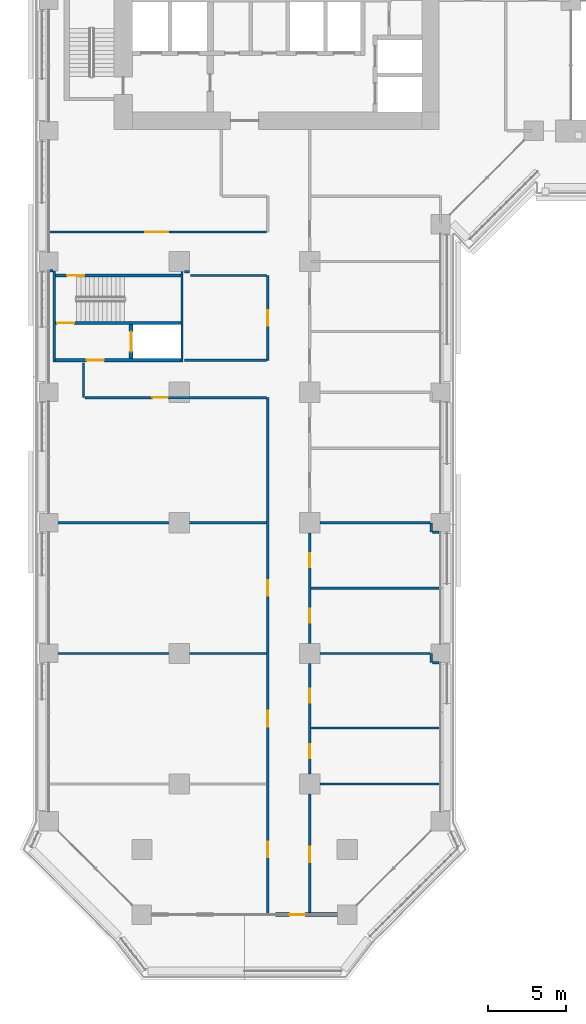
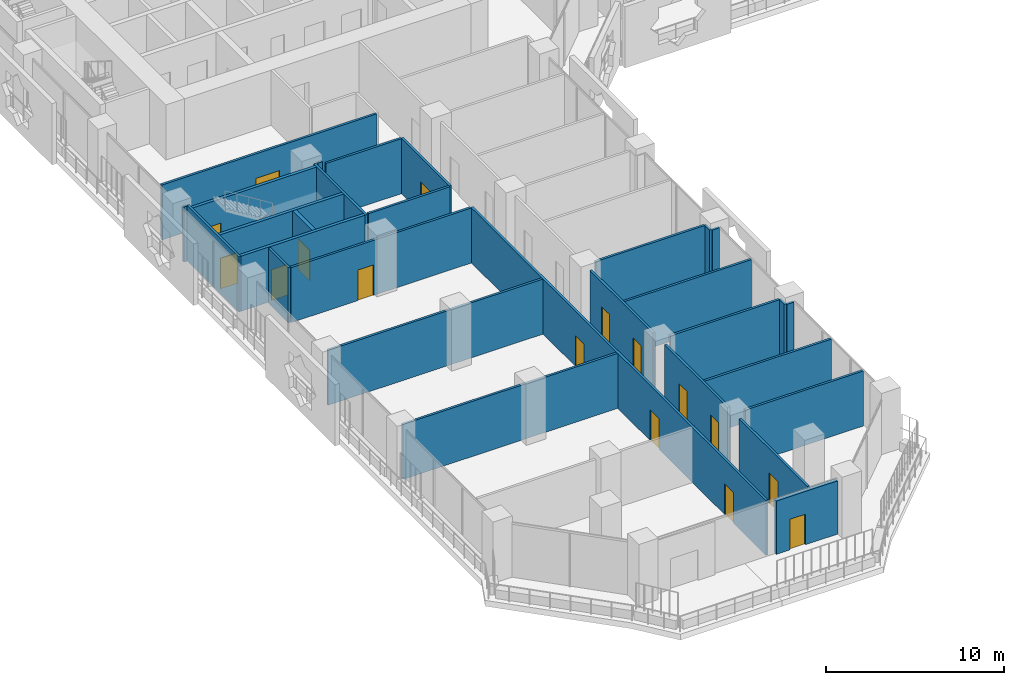
# One storey, part 13 of 28: 30 walls, 16 doors, 16 openings.
"""IFC4 building model written with IfcOpenShell, lengths in metres."""

from ifc_helpers import new_model, si_unit, direction, frame, frame_2d, origin, place, context, subcontext, project, spatial, rectangle, extrude, material, layer, layer_set, type_object, element, fill, save


model = new_model("IFC4")

# Units and contexts
model_context = context("Model", 3, precision=1e-05, world=origin(), true_north=direction((0.0, 1.0)))
body_context = subcontext(model_context, "Body", "Model", "MODEL_VIEW")
ifc_project = project(units=[si_unit("LENGTHUNIT", "METRE"), si_unit("AREAUNIT", "SQUARE_METRE"), si_unit("VOLUMEUNIT", "CUBIC_METRE"), si_unit("PLANEANGLEUNIT", "RADIAN"), si_unit("MASSUNIT", "GRAM", prefix="KILO")], contexts=[model_context])

# Site, building, storey
site_placement = place(None, origin())
site = spatial("IfcSite", under=ifc_project, at=site_placement, CompositionType="ELEMENT")
building_placement = place(site_placement, origin())
building = spatial("IfcBuilding", under=site, at=building_placement, Name="Kawkab Arch Medical Tower", CompositionType="ELEMENT")
storey_placement = place(building_placement, frame((0.0, 0.0, 47.60009765625)))
storey = spatial("IfcBuildingStorey", under=building, at=storey_placement, Name="L10", CompositionType="ELEMENT", Elevation=47.60009765625)

# Wall, opening, door
ifc_material_1 = material(Name="Concrete C60/75", Category="concrete")
ifc_layer_1 = layer(ifc_material_1, 0.25)
ifc_layer_set_1 = layer_set([ifc_layer_1], Name="Concrete C60/75")
wall_type_1 = type_object("IfcWallType", Name="Core shear wall 250 C60/75", PredefinedType="SHEAR", material=ifc_layer_set_1)
wall_1_placement = place(storey_placement, frame((5.300048828125, -39.85009765625, 0.0), z_axis=(0.0, 0.0, 1.0), x_axis=(0.0, 1.0, 0.0)))
wall_1 = element("IfcWall", 1, at=wall_1_placement, inside=storey, type_object=wall_type_1, Name="L10 core shear wall", PredefinedType="SHEAR", context=body_context, shape_type="SweptSolid", body=[
    extrude(rectangle(XDim=2.2001953125, YDim=0.25, at=frame_2d((1.10009765625, 0.0))), origin(), (0.0, 0.0, 1.0), 3.77978515625),
])
opening_1_placement = place(wall_1_placement, frame((0.449951171875, 0.0, 0.0)))
opening_1 = element("IfcOpeningElement", 2, at=opening_1_placement, cuts=wall_1, Name="Opening LD2", PredefinedType="OPENING", context=body_context, shape_type="SweptSolid", body=[
    extrude(rectangle(XDim=1.300048828125, YDim=2.10009765625, at=frame_2d((0.64990234375, 1.050048828125))), frame((0.0, 0.135009765625, 0.0), z_axis=(0.0, -1.0, 0.0), x_axis=(1.0, 0.0, 0.0)), (0.0, 0.0, 1.0), 0.27001953125),
])
ifc_material_2 = material(Name="Stainless steel lift door leaf", Category="steel")
door_type_1 = type_object("IfcDoorType", Name="Lift landing door 1300", OperationType="DOUBLE_DOOR_SLIDING", PredefinedType="DOOR", material=ifc_material_2)
door_1_placement = place(opening_1_placement, origin())
door_1 = element("IfcDoor", 3, at=door_1_placement, inside=storey, type_object=door_type_1, Name="L10 Lift landing door SV2", OperationType="DOUBLE_DOOR_SLIDING", OverallHeight=2.10009765625, OverallWidth=1.300048828125, PredefinedType="DOOR", context=body_context, shape_type="SweptSolid", body=[
    extrude(rectangle(XDim=1.300048828125, YDim=2.10009765625, at=frame_2d((0.64990234375, 1.050048828125))), frame((0.0, 0.02490234375, 0.0), z_axis=(0.0, -1.0, 0.0), x_axis=(1.0, 0.0, 0.0)), (0.0, 0.0, 1.0), 0.050048828125),
])
fill(opening_1, door_1)

ifc_material_3 = material(Name="Bronze clad insulated wall panel")
ifc_layer_2 = layer(ifc_material_3, 0.25)
ifc_layer_set_2 = layer_set([ifc_layer_2], Name="Bronze clad insulated wall panel")
wall_type_2 = type_object("IfcWallType", Name="External wall bay 250", PredefinedType="SOLIDWALL", material=ifc_layer_set_2)
wall_2_placement = place(storey_placement, frame((14.591552734375, -75.60009765625, 0.0), z_axis=(0.0, 0.0, 1.0), x_axis=(1.0, 0.0, 0.0)))
wall_2 = element("IfcWall", 4, at=wall_2_placement, inside=storey, type_object=wall_type_2, Name="External wall bay L10.R13.1.3", PredefinedType="SOLIDWALL", context=body_context, shape_type="SweptSolid", body=[
    extrude(rectangle(XDim=3.9833984375, YDim=0.25, at=frame_2d((1.99169921875, 0.0))), origin(), (0.0, 0.0, 1.0), 3.659912109375),
])
opening_2_placement = place(wall_2_placement, frame((0.8916015625, 0.0, 0.0)))
opening_2 = element("IfcOpeningElement", 5, at=opening_2_placement, cuts=wall_2, Name="Opening B10-702", PredefinedType="OPENING", context=body_context, shape_type="SweptSolid", body=[
    extrude(rectangle(XDim=1.0, YDim=2.10009765625, at=frame_2d((0.5, 1.050048828125))), frame((0.0, 0.135009765625, 0.0), z_axis=(0.0, -1.0, 0.0), x_axis=(1.0, 0.0, 0.0)), (0.0, 0.0, 1.0), 0.27001953125),
])
ifc_material_4 = material(Name="Bronze anodised aluminium door with tinted glass", Category="aluminium")
door_type_2 = type_object("IfcDoorType", Name="Single external door 1000 x 2100", OperationType="SINGLE_SWING_LEFT", PredefinedType="DOOR", material=ifc_material_4)
door_2_placement = place(opening_2_placement, origin())
door_2 = element("IfcDoor", 6, at=door_2_placement, inside=storey, type_object=door_type_2, Name="External door L10.R13.1.3", OperationType="SINGLE_SWING_LEFT", OverallHeight=2.10009765625, OverallWidth=1.0, PredefinedType="DOOR", context=body_context, shape_type="SweptSolid", body=[
    extrude(rectangle(XDim=1.0, YDim=2.10009765625, at=frame_2d((0.5, 1.050048828125))), frame((0.0, 0.02490234375, 0.0), z_axis=(0.0, -1.0, 0.0), x_axis=(1.0, 0.0, 0.0)), (0.0, 0.0, 1.0), 0.050048828125),
])
fill(opening_2, door_2)

# Walls
ifc_material_5 = material(Name="Gypsum board partition on steel studs, mineral wool", Category="steel")
ifc_layer_3 = layer(ifc_material_5, 0.14990234375)
ifc_layer_set_3 = layer_set([ifc_layer_3], Name="Gypsum board partition on steel studs, mineral wool")
wall_type_3 = type_object("IfcWallType", Name="Partition 150", PredefinedType="PARTITIONING", material=ifc_layer_set_3)
wall_3_placement = place(storey_placement, frame((17.449951171875, -67.199951171875, 0.0), z_axis=(0.0, 0.0, 1.0), x_axis=(1.0, 0.0, 0.0)))
element("IfcWall", 7, at=wall_3_placement, inside=storey, type_object=wall_type_3, Name="Partition 150 w002", PredefinedType="PARTITIONING", context=body_context, shape_type="SweptSolid", body=[
    extrude(rectangle(XDim=7.670166015625, YDim=0.14990234375, at=frame_2d((3.8349609375, 0.0))), origin(), (0.0, 0.0, 1.0), 3.77978515625),
])
wall_4_placement = place(storey_placement, frame((16.875, -63.60009765625, 0.0), z_axis=(0.0, 0.0, 1.0), x_axis=(1.0, 0.0, 0.0)))
element("IfcWall", 8, at=wall_4_placement, inside=storey, type_object=wall_type_3, Name="Partition 150 w003", PredefinedType="PARTITIONING", context=body_context, shape_type="SweptSolid", body=[
    extrude(rectangle(XDim=8.2451171875, YDim=0.14990234375, at=frame_2d((4.12255859375, 0.0))), origin(), (0.0, 0.0, 1.0), 3.77978515625),
])
wall_5_placement = place(storey_placement, frame((24.675048828125, -59.39990234375, 0.0), z_axis=(0.0, 0.0, 1.0), x_axis=(1.0, 0.0, 0.0)))
element("IfcWall", 9, at=wall_5_placement, inside=storey, type_object=wall_type_3, Name="Partition 150 w004", PredefinedType="PARTITIONING", context=body_context, shape_type="SweptSolid", body=[
    extrude(rectangle(XDim=0.445068359375, YDim=0.14990234375, at=frame_2d((0.22265625, 0.0))), origin(), (0.0, 0.0, 1.0), 3.77978515625),
])
wall_6_placement = place(storey_placement, frame((0.080078125, -58.800048828125, 0.0), z_axis=(0.0, 0.0, 1.0), x_axis=(1.0, 0.0, 0.0)))
element("IfcWall", 10, at=wall_6_placement, inside=storey, type_object=wall_type_3, Name="Partition 150 w005", PredefinedType="PARTITIONING", context=body_context, shape_type="SweptSolid", body=[
    extrude(rectangle(XDim=13.94482421875, YDim=0.14990234375, at=frame_2d((6.972412109375, 0.0))), origin(), (0.0, 0.0, 1.0), 3.77978515625),
])
wall_7_placement = place(storey_placement, frame((17.451904296875, -58.800048828125, 0.0), z_axis=(0.0, 0.0, 1.0), x_axis=(1.0, 0.0, 0.0)))
element("IfcWall", 11, at=wall_7_placement, inside=storey, type_object=wall_type_3, Name="Partition 150 w006", PredefinedType="PARTITIONING", context=body_context, shape_type="SweptSolid", body=[
    extrude(rectangle(XDim=7.071044921875, YDim=0.14990234375, at=frame_2d((3.53564453125, 0.0))), origin(), (0.0, 0.0, 1.0), 3.77978515625),
])
wall_8_placement = place(storey_placement, frame((16.875, -54.60009765625, 0.0), z_axis=(0.0, 0.0, 1.0), x_axis=(1.0, 0.0, 0.0)))
element("IfcWall", 12, at=wall_8_placement, inside=storey, type_object=wall_type_3, Name="Partition 150 w007", PredefinedType="PARTITIONING", context=body_context, shape_type="SweptSolid", body=[
    extrude(rectangle(XDim=8.2451171875, YDim=0.14990234375, at=frame_2d((4.12255859375, 0.0))), origin(), (0.0, 0.0, 1.0), 3.77978515625),
])
wall_9_placement = place(storey_placement, frame((24.675048828125, -51.0, 0.0), z_axis=(0.0, 0.0, 1.0), x_axis=(1.0, 0.0, 0.0)))
element("IfcWall", 13, at=wall_9_placement, inside=storey, type_object=wall_type_3, Name="Partition 150 w008", PredefinedType="PARTITIONING", context=body_context, shape_type="SweptSolid", body=[
    extrude(rectangle(XDim=0.445068359375, YDim=0.14990234375, at=frame_2d((0.22265625, 0.0))), origin(), (0.0, 0.0, 1.0), 3.77978515625),
])
wall_10_placement = place(storey_placement, frame((0.080078125, -50.39990234375, 0.0), z_axis=(0.0, 0.0, 1.0), x_axis=(1.0, 0.0, 0.0)))
element("IfcWall", 14, at=wall_10_placement, inside=storey, type_object=wall_type_3, Name="Partition 150 w009", PredefinedType="PARTITIONING", context=body_context, shape_type="SweptSolid", body=[
    extrude(rectangle(XDim=13.94482421875, YDim=0.14990234375, at=frame_2d((6.972412109375, 0.0))), origin(), (0.0, 0.0, 1.0), 3.77978515625),
])
wall_11_placement = place(storey_placement, frame((17.451904296875, -50.39990234375, 0.0), z_axis=(0.0, 0.0, 1.0), x_axis=(1.0, 0.0, 0.0)))
element("IfcWall", 15, at=wall_11_placement, inside=storey, type_object=wall_type_3, Name="Partition 150 w010", PredefinedType="PARTITIONING", context=body_context, shape_type="SweptSolid", body=[
    extrude(rectangle(XDim=7.071044921875, YDim=0.14990234375, at=frame_2d((3.53564453125, 0.0))), origin(), (0.0, 0.0, 1.0), 3.77978515625),
])

# Wall, opening, door
wall_12_placement = place(storey_placement, frame((2.325927734375, -42.35009765625, 0.0), z_axis=(0.0, 0.0, 1.0), x_axis=(1.0, 0.0, 0.0)))
wall_12 = element("IfcWall", 16, at=wall_12_placement, inside=storey, type_object=wall_type_3, Name="Partition 150 w013", PredefinedType="PARTITIONING", context=body_context, shape_type="SweptSolid", body=[
    extrude(rectangle(XDim=11.698974609375, YDim=0.14990234375, at=frame_2d((5.849609375, 0.0))), origin(), (0.0, 0.0, 1.0), 3.77978515625),
])
opening_3_placement = place(wall_12_placement, frame((4.34912109375, 0.0, 0.0)))
opening_3 = element("IfcOpeningElement", 17, at=opening_3_placement, cuts=wall_12, Name="Opening B10-022", PredefinedType="OPENING", context=body_context, shape_type="SweptSolid", body=[
    extrude(rectangle(XDim=1.0, YDim=2.10009765625, at=frame_2d((0.5, 1.050048828125))), frame((0.0, 0.0849609375, 0.0), z_axis=(0.0, -1.0, 0.0), x_axis=(1.0, 0.0, 0.0)), (0.0, 0.0, 1.0), 0.169921875),
])
ifc_material_6 = material(Name="Hollow metal door leaf")
door_type_3 = type_object("IfcDoorType", Name="Single door 1000x2100 FD30S", OperationType="NOTDEFINED", PredefinedType="DOOR", material=ifc_material_6)
door_3_placement = place(opening_3_placement, origin())
door_3 = element("IfcDoor", 18, at=door_3_placement, inside=storey, type_object=door_type_3, Name="Door B10-022", OperationType="SINGLE_SWING_RIGHT", OverallHeight=2.10009765625, OverallWidth=1.0, PredefinedType="DOOR", context=body_context, shape_type="SweptSolid", body=[
    extrude(rectangle(XDim=1.0, YDim=2.10009765625, at=frame_2d((0.5, 1.050048828125))), frame((0.0, 0.02490234375, 0.0), z_axis=(0.0, -1.0, 0.0), x_axis=(1.0, 0.0, 0.0)), (0.0, 0.0, 1.0), 0.050048828125),
])
fill(opening_3, door_3)

# Walls
wall_13_placement = place(storey_placement, frame((8.72998046875, -39.949951171875, 0.0), z_axis=(0.0, 0.0, 1.0), x_axis=(1.0, 0.0, 0.0)))
element("IfcWall", 19, at=wall_13_placement, inside=storey, type_object=wall_type_3, Name="Partition 150 w015", PredefinedType="PARTITIONING", context=body_context, shape_type="SweptSolid", body=[
    extrude(rectangle(XDim=5.294921875, YDim=0.14990234375, at=frame_2d((2.6474609375, 0.0))), origin(), (0.0, 0.0, 1.0), 3.77978515625),
])
wall_14_placement = place(storey_placement, frame((9.125, -34.5, 0.0), z_axis=(0.0, 0.0, 1.0), x_axis=(1.0, 0.0, 0.0)))
element("IfcWall", 20, at=wall_14_placement, inside=storey, type_object=wall_type_3, Name="Partition 150 w017", PredefinedType="PARTITIONING", context=body_context, shape_type="SweptSolid", body=[
    extrude(rectangle(XDim=4.89990234375, YDim=0.14990234375, at=frame_2d((2.449951171875, 0.0))), origin(), (0.0, 0.0, 1.0), 3.77978515625),
])
wall_15_placement = place(storey_placement, frame((8.72998046875, -34.25, 0.0), z_axis=(0.0, 0.0, 1.0), x_axis=(1.0, 0.0, 0.0)))
element("IfcWall", 21, at=wall_15_placement, inside=storey, type_object=wall_type_3, Name="Partition 150 w018", PredefinedType="PARTITIONING", context=body_context, shape_type="SweptSolid", body=[
    extrude(rectangle(XDim=0.319091796875, YDim=0.14990234375, at=frame_2d((0.15966796875, 0.0))), origin(), (0.0, 0.0, 1.0), 3.77978515625),
])
wall_16_placement = place(storey_placement, frame((0.080078125, -34.199951171875, 0.0), z_axis=(0.0, 0.0, 1.0), x_axis=(1.0, 0.0, 0.0)))
element("IfcWall", 22, at=wall_16_placement, inside=storey, type_object=wall_type_3, Name="Partition 150 w019", PredefinedType="PARTITIONING", context=body_context, shape_type="SweptSolid", body=[
    extrude(rectangle(XDim=0.18994140625, YDim=0.14990234375, at=frame_2d((0.094970703125, 0.0))), origin(), (0.0, 0.0, 1.0), 3.77978515625),
])

# Wall, opening, door
wall_17_placement = place(storey_placement, frame((0.080078125, -31.70703125, 0.0), z_axis=(0.0, 0.0, 1.0), x_axis=(1.0, 0.0, 0.0)))
wall_17 = element("IfcWall", 23, at=wall_17_placement, inside=storey, type_object=wall_type_3, Name="Partition 150 w021", PredefinedType="PARTITIONING", context=body_context, shape_type="SweptSolid", body=[
    extrude(rectangle(XDim=13.94482421875, YDim=0.14990234375, at=frame_2d((6.972412109375, 0.0))), origin(), (0.0, 0.0, 1.0), 3.77978515625),
])
opening_4_placement = place(wall_17_placement, frame((6.1201171875, 0.0, 0.0)))
opening_4 = element("IfcOpeningElement", 24, at=opening_4_placement, cuts=wall_17, Name="Opening B10-001", PredefinedType="OPENING", context=body_context, shape_type="SweptSolid", body=[
    extrude(rectangle(XDim=1.5, YDim=2.10009765625, at=frame_2d((0.75, 1.050048828125))), frame((0.0, 0.0849609375, 0.0), z_axis=(0.0, -1.0, 0.0), x_axis=(1.0, 0.0, 0.0)), (0.0, 0.0, 1.0), 0.169921875),
])
ifc_material_7 = material(Name="Hollow metal door leaf")
door_type_4 = type_object("IfcDoorType", Name="Double door 1500x2100 FD30S", OperationType="NOTDEFINED", PredefinedType="DOOR", material=ifc_material_7)
door_4_placement = place(opening_4_placement, origin())
door_4 = element("IfcDoor", 25, at=door_4_placement, inside=storey, type_object=door_type_4, Name="Door B10-001", OperationType="DOUBLE_DOOR_SINGLE_SWING", OverallHeight=2.10009765625, OverallWidth=1.5, PredefinedType="DOOR", context=body_context, shape_type="SweptSolid", body=[
    extrude(rectangle(XDim=1.5, YDim=2.10009765625, at=frame_2d((0.75, 1.050048828125))), frame((0.0, 0.02490234375, 0.0), z_axis=(0.0, -1.0, 0.0), x_axis=(1.0, 0.0, 0.0)), (0.0, 0.0, 1.0), 0.050048828125),
])
fill(opening_4, door_4)

# Wall
wall_18_placement = place(storey_placement, frame((2.25, -42.347900390625, 0.0), z_axis=(0.0, 0.0, 1.0), x_axis=(0.0, 1.0, 0.0)))
element("IfcWall", 26, at=wall_18_placement, inside=storey, type_object=wall_type_3, Name="Partition 150 w033", PredefinedType="PARTITIONING", context=body_context, shape_type="SweptSolid", body=[
    extrude(rectangle(XDim=2.218017578125, YDim=0.14990234375, at=frame_2d((1.10888671875, 0.0))), origin(), (0.0, 0.0, 1.0), 3.77978515625),
])

# Wall, openings, doors
wall_19_placement = place(storey_placement, frame((14.10009765625, -75.52001953125, 0.0), z_axis=(0.0, 0.0, 1.0), x_axis=(0.0, 1.0, 0.0)))
wall_19 = element("IfcWall", 27, at=wall_19_placement, inside=storey, type_object=wall_type_3, Name="Partition 150 w035", PredefinedType="PARTITIONING", context=body_context, shape_type="SweptSolid", body=[
    extrude(rectangle(XDim=33.169921875, YDim=0.14990234375, at=frame_2d((16.5849609375, 0.0))), origin(), (0.0, 0.0, 1.0), 3.77978515625),
])
opening_5_placement = place(wall_19_placement, frame((20.419921875, 0.0, 0.0)))
opening_5 = element("IfcOpeningElement", 28, at=opening_5_placement, cuts=wall_19, Name="Opening B10-023", PredefinedType="OPENING", context=body_context, shape_type="SweptSolid", body=[
    extrude(rectangle(XDim=1.0, YDim=2.10009765625, at=frame_2d((0.5, 1.050048828125))), frame((0.0, 0.0849609375, 0.0), z_axis=(0.0, -1.0, 0.0), x_axis=(1.0, 0.0, 0.0)), (0.0, 0.0, 1.0), 0.169921875),
])
opening_6_placement = place(wall_19_placement, frame((12.02001953125, 0.0, 0.0)))
opening_6 = element("IfcOpeningElement", 29, at=opening_6_placement, cuts=wall_19, Name="Opening B10-024", PredefinedType="OPENING", context=body_context, shape_type="SweptSolid", body=[
    extrude(rectangle(XDim=1.0, YDim=2.10009765625, at=frame_2d((0.5, 1.050048828125))), frame((0.0, 0.0849609375, 0.0), z_axis=(0.0, -1.0, 0.0), x_axis=(1.0, 0.0, 0.0)), (0.0, 0.0, 1.0), 0.169921875),
])
opening_7_placement = place(wall_19_placement, frame((3.6201171875, 0.0, 0.0)))
opening_7 = element("IfcOpeningElement", 30, at=opening_7_placement, cuts=wall_19, Name="Opening B10-025", PredefinedType="OPENING", context=body_context, shape_type="SweptSolid", body=[
    extrude(rectangle(XDim=1.0, YDim=2.10009765625, at=frame_2d((0.5, 1.050048828125))), frame((0.0, 0.0849609375, 0.0), z_axis=(0.0, -1.0, 0.0), x_axis=(1.0, 0.0, 0.0)), (0.0, 0.0, 1.0), 0.169921875),
])
door_5_placement = place(opening_5_placement, origin())
door_5 = element("IfcDoor", 31, at=door_5_placement, inside=storey, type_object=door_type_3, Name="Door B10-023", OperationType="SINGLE_SWING_RIGHT", OverallHeight=2.10009765625, OverallWidth=1.0, PredefinedType="DOOR", context=body_context, shape_type="SweptSolid", body=[
    extrude(rectangle(XDim=1.0, YDim=2.10009765625, at=frame_2d((0.5, 1.050048828125))), frame((0.0, 0.02490234375, 0.0), z_axis=(0.0, -1.0, 0.0), x_axis=(1.0, 0.0, 0.0)), (0.0, 0.0, 1.0), 0.050048828125),
])
fill(opening_5, door_5)
door_6_placement = place(opening_6_placement, origin())
door_6 = element("IfcDoor", 32, at=door_6_placement, inside=storey, type_object=door_type_3, Name="Door B10-024", OperationType="SINGLE_SWING_LEFT", OverallHeight=2.10009765625, OverallWidth=1.0, PredefinedType="DOOR", context=body_context, shape_type="SweptSolid", body=[
    extrude(rectangle(XDim=1.0, YDim=2.10009765625, at=frame_2d((0.5, 1.050048828125))), frame((0.0, 0.02490234375, 0.0), z_axis=(0.0, -1.0, 0.0), x_axis=(1.0, 0.0, 0.0)), (0.0, 0.0, 1.0), 0.050048828125),
])
fill(opening_6, door_6)
door_7_placement = place(opening_7_placement, origin())
door_7 = element("IfcDoor", 33, at=door_7_placement, inside=storey, type_object=door_type_3, Name="Door B10-025", OperationType="SINGLE_SWING_LEFT", OverallHeight=2.10009765625, OverallWidth=1.0, PredefinedType="DOOR", context=body_context, shape_type="SweptSolid", body=[
    extrude(rectangle(XDim=1.0, YDim=2.10009765625, at=frame_2d((0.5, 1.050048828125))), frame((0.0, 0.02490234375, 0.0), z_axis=(0.0, -1.0, 0.0), x_axis=(1.0, 0.0, 0.0)), (0.0, 0.0, 1.0), 0.050048828125),
])
fill(opening_7, door_7)

# Wall, opening, door
wall_20_placement = place(storey_placement, frame((14.10009765625, -39.949951171875, 0.0), z_axis=(0.0, 0.0, 1.0), x_axis=(0.0, 1.0, 0.0)))
wall_20 = element("IfcWall", 34, at=wall_20_placement, inside=storey, type_object=wall_type_3, Name="Partition 150 w036", PredefinedType="PARTITIONING", context=body_context, shape_type="SweptSolid", body=[
    extrude(rectangle(XDim=5.449951171875, YDim=0.14990234375, at=frame_2d((2.72509765625, 0.0))), origin(), (0.0, 0.0, 1.0), 3.77978515625),
])
opening_8_placement = place(wall_20_placement, frame((2.22509765625, 0.0, 0.0)))
opening_8 = element("IfcOpeningElement", 35, at=opening_8_placement, cuts=wall_20, Name="Opening B10-030", PredefinedType="OPENING", context=body_context, shape_type="SweptSolid", body=[
    extrude(rectangle(XDim=1.0, YDim=2.10009765625, at=frame_2d((0.5, 1.050048828125))), frame((0.0, 0.0849609375, 0.0), z_axis=(0.0, -1.0, 0.0), x_axis=(1.0, 0.0, 0.0)), (0.0, 0.0, 1.0), 0.169921875),
])
door_8_placement = place(opening_8_placement, origin())
door_8 = element("IfcDoor", 36, at=door_8_placement, inside=storey, type_object=door_type_3, Name="Door B10-030", OperationType="SINGLE_SWING_RIGHT", OverallHeight=2.10009765625, OverallWidth=1.0, PredefinedType="DOOR", context=body_context, shape_type="SweptSolid", body=[
    extrude(rectangle(XDim=1.0, YDim=2.10009765625, at=frame_2d((0.5, 1.050048828125))), frame((0.0, 0.02490234375, 0.0), z_axis=(0.0, -1.0, 0.0), x_axis=(1.0, 0.0, 0.0)), (0.0, 0.0, 1.0), 0.050048828125),
])
fill(opening_8, door_8)

wall_21_placement = place(storey_placement, frame((16.800048828125, -75.52001953125, 0.0), z_axis=(0.0, 0.0, 1.0), x_axis=(0.0, 1.0, 0.0)))
wall_21 = element("IfcWall", 37, at=wall_21_placement, inside=storey, type_object=wall_type_3, Name="Partition 150 w039", PredefinedType="PARTITIONING", context=body_context, shape_type="SweptSolid", body=[
    extrude(rectangle(XDim=7.669921875, YDim=0.14990234375, at=frame_2d((3.8349609375, 0.0))), origin(), (0.0, 0.0, 1.0), 3.77978515625),
])
opening_9_placement = place(wall_21_placement, frame((3.294921875, 0.0, 0.0)))
opening_9 = element("IfcOpeningElement", 38, at=opening_9_placement, cuts=wall_21, Name="Opening B10-028", PredefinedType="OPENING", context=body_context, shape_type="SweptSolid", body=[
    extrude(rectangle(XDim=1.0, YDim=2.10009765625, at=frame_2d((0.5, 1.050048828125))), frame((0.0, 0.0849609375, 0.0), z_axis=(0.0, -1.0, 0.0), x_axis=(1.0, 0.0, 0.0)), (0.0, 0.0, 1.0), 0.169921875),
])
door_9_placement = place(opening_9_placement, origin())
door_9 = element("IfcDoor", 39, at=door_9_placement, inside=storey, type_object=door_type_3, Name="Door B10-028", OperationType="SINGLE_SWING_LEFT", OverallHeight=2.10009765625, OverallWidth=1.0, PredefinedType="DOOR", context=body_context, shape_type="SweptSolid", body=[
    extrude(rectangle(XDim=1.0, YDim=2.10009765625, at=frame_2d((0.5, 1.050048828125))), frame((0.0, 0.02490234375, 0.0), z_axis=(0.0, -1.0, 0.0), x_axis=(1.0, 0.0, 0.0)), (0.0, 0.0, 1.0), 0.050048828125),
])
fill(opening_9, door_9)

# Wall, openings, doors
wall_22_placement = place(storey_placement, frame((16.800048828125, -66.550048828125, 0.0), z_axis=(0.0, 0.0, 1.0), x_axis=(0.0, 1.0, 0.0)))
wall_22 = element("IfcWall", 40, at=wall_22_placement, inside=storey, type_object=wall_type_3, Name="Partition 150 w040", PredefinedType="PARTITIONING", context=body_context, shape_type="SweptSolid", body=[
    extrude(rectangle(XDim=7.10009765625, YDim=0.14990234375, at=frame_2d((3.550048828125, 0.0))), origin(), (0.0, 0.0, 1.0), 3.77978515625),
])
opening_10_placement = place(wall_22_placement, frame((4.574951171875, 0.0, 0.0)))
opening_10 = element("IfcOpeningElement", 41, at=opening_10_placement, cuts=wall_22, Name="Opening B10-008", PredefinedType="OPENING", context=body_context, shape_type="SweptSolid", body=[
    extrude(rectangle(XDim=0.89990234375, YDim=2.10009765625, at=frame_2d((0.449951171875, 1.050048828125))), frame((0.0, 0.0849609375, 0.0), z_axis=(0.0, -1.0, 0.0), x_axis=(1.0, 0.0, 0.0)), (0.0, 0.0, 1.0), 0.169921875),
])
opening_11_placement = place(wall_22_placement, frame((1.02490234375, 0.0, 0.0)))
opening_11 = element("IfcOpeningElement", 42, at=opening_11_placement, cuts=wall_22, Name="Opening B10-009", PredefinedType="OPENING", context=body_context, shape_type="SweptSolid", body=[
    extrude(rectangle(XDim=0.89990234375, YDim=2.10009765625, at=frame_2d((0.449951171875, 1.050048828125))), frame((0.0, 0.0849609375, 0.0), z_axis=(0.0, -1.0, 0.0), x_axis=(1.0, 0.0, 0.0)), (0.0, 0.0, 1.0), 0.169921875),
])
ifc_material_8 = material(Name="Timber door leaf", Category="wood")
door_type_5 = type_object("IfcDoorType", Name="Single door 900x2100", OperationType="NOTDEFINED", PredefinedType="DOOR", material=ifc_material_8)
door_10_placement = place(opening_10_placement, origin())
door_10 = element("IfcDoor", 43, at=door_10_placement, inside=storey, type_object=door_type_5, Name="Door B10-008", OperationType="SINGLE_SWING_LEFT", OverallHeight=2.10009765625, OverallWidth=0.89990234375, PredefinedType="DOOR", context=body_context, shape_type="SweptSolid", body=[
    extrude(rectangle(XDim=0.89990234375, YDim=2.10009765625, at=frame_2d((0.449951171875, 1.050048828125))), frame((0.0, 0.02490234375, 0.0), z_axis=(0.0, -1.0, 0.0), x_axis=(1.0, 0.0, 0.0)), (0.0, 0.0, 1.0), 0.050048828125),
])
fill(opening_10, door_10)
door_11_placement = place(opening_11_placement, origin())
door_11 = element("IfcDoor", 44, at=door_11_placement, inside=storey, type_object=door_type_5, Name="Door B10-009", OperationType="SINGLE_SWING_RIGHT", OverallHeight=2.10009765625, OverallWidth=0.89990234375, PredefinedType="DOOR", context=body_context, shape_type="SweptSolid", body=[
    extrude(rectangle(XDim=0.89990234375, YDim=2.10009765625, at=frame_2d((0.449951171875, 1.050048828125))), frame((0.0, 0.02490234375, 0.0), z_axis=(0.0, -1.0, 0.0), x_axis=(1.0, 0.0, 0.0)), (0.0, 0.0, 1.0), 0.050048828125),
])
fill(opening_11, door_11)

wall_23_placement = place(storey_placement, frame((16.800048828125, -58.14990234375, 0.0), z_axis=(0.0, 0.0, 1.0), x_axis=(0.0, 1.0, 0.0)))
wall_23 = element("IfcWall", 45, at=wall_23_placement, inside=storey, type_object=wall_type_3, Name="Partition 150 w041", PredefinedType="PARTITIONING", context=body_context, shape_type="SweptSolid", body=[
    extrude(rectangle(XDim=7.099853515625, YDim=0.14990234375, at=frame_2d((3.5498046875, 0.0))), origin(), (0.0, 0.0, 1.0), 3.77978515625),
])
opening_12_placement = place(wall_23_placement, frame((4.875, 0.0, 0.0)))
opening_12 = element("IfcOpeningElement", 46, at=opening_12_placement, cuts=wall_23, Name="Opening B10-006", PredefinedType="OPENING", context=body_context, shape_type="SweptSolid", body=[
    extrude(rectangle(XDim=0.89990234375, YDim=2.10009765625, at=frame_2d((0.449951171875, 1.050048828125))), frame((0.0, 0.0849609375, 0.0), z_axis=(0.0, -1.0, 0.0), x_axis=(1.0, 0.0, 0.0)), (0.0, 0.0, 1.0), 0.169921875),
])
opening_13_placement = place(wall_23_placement, frame((1.324951171875, 0.0, 0.0)))
opening_13 = element("IfcOpeningElement", 47, at=opening_13_placement, cuts=wall_23, Name="Opening B10-007", PredefinedType="OPENING", context=body_context, shape_type="SweptSolid", body=[
    extrude(rectangle(XDim=0.89990234375, YDim=2.10009765625, at=frame_2d((0.449951171875, 1.050048828125))), frame((0.0, 0.0849609375, 0.0), z_axis=(0.0, -1.0, 0.0), x_axis=(1.0, 0.0, 0.0)), (0.0, 0.0, 1.0), 0.169921875),
])
door_12_placement = place(opening_12_placement, origin())
door_12 = element("IfcDoor", 48, at=door_12_placement, inside=storey, type_object=door_type_5, Name="Door B10-006", OperationType="SINGLE_SWING_LEFT", OverallHeight=2.10009765625, OverallWidth=0.89990234375, PredefinedType="DOOR", context=body_context, shape_type="SweptSolid", body=[
    extrude(rectangle(XDim=0.89990234375, YDim=2.10009765625, at=frame_2d((0.449951171875, 1.050048828125))), frame((0.0, 0.02490234375, 0.0), z_axis=(0.0, -1.0, 0.0), x_axis=(1.0, 0.0, 0.0)), (0.0, 0.0, 1.0), 0.050048828125),
])
fill(opening_12, door_12)
door_13_placement = place(opening_13_placement, origin())
door_13 = element("IfcDoor", 49, at=door_13_placement, inside=storey, type_object=door_type_5, Name="Door B10-007", OperationType="SINGLE_SWING_RIGHT", OverallHeight=2.10009765625, OverallWidth=0.89990234375, PredefinedType="DOOR", context=body_context, shape_type="SweptSolid", body=[
    extrude(rectangle(XDim=0.89990234375, YDim=2.10009765625, at=frame_2d((0.449951171875, 1.050048828125))), frame((0.0, 0.02490234375, 0.0), z_axis=(0.0, -1.0, 0.0), x_axis=(1.0, 0.0, 0.0)), (0.0, 0.0, 1.0), 0.050048828125),
])
fill(opening_13, door_13)

# Walls
for number, where, z_axis, x_axis, name in (
    (50, (24.60009765625, -59.39990234375, 0.0), (0.0, 0.0, 1.0), (0.0, 1.0, 0.0), "Partition 150 w044"),
    (51, (24.60009765625, -51.0, 0.0), (0.0, 0.0, 1.0), (0.0, 1.0, 0.0), "Partition 150 w045"),
):
    element("IfcWall", number, at=place(storey_placement, frame(where, z_axis=z_axis, x_axis=x_axis)), inside=storey, type_object=wall_type_3, Name=name, PredefinedType="PARTITIONING", context=body_context, shape_type="SweptSolid", body=[
        extrude(rectangle(XDim=0.597900390625, YDim=0.14990234375, at=frame_2d((0.298828125, 0.0))), origin(), (0.0, 0.0, 1.0), 3.77978515625),
    ])
ifc_material_9 = material(Name="Concrete C50/60", Category="concrete")
ifc_layer_4 = layer(ifc_material_9, 0.14990234375)
ifc_layer_set_4 = layer_set([ifc_layer_4], Name="Concrete C50/60")
wall_type_4 = type_object("IfcWallType", Name="Stair enclosure wall 150 C50/60", PredefinedType="SHEAR", material=ifc_layer_set_4)
wall_24_placement = place(storey_placement, frame((0.375, -40.050048828125, 0.0), z_axis=(0.0, 0.0, 1.0), x_axis=(0.0, 1.0, 0.0)))
element("IfcWall", 52, at=wall_24_placement, inside=storey, type_object=wall_type_4, Name="L10 stair enclosure wall", PredefinedType="SHEAR", context=body_context, shape_type="SweptSolid", body=[
    extrude(rectangle(XDim=5.85009765625, YDim=0.14990234375, at=frame_2d((2.925048828125, 0.0))), origin(), (0.0, 0.0, 1.0), 3.77978515625),
])
wall_25_placement = place(storey_placement, frame((8.574951171875, -40.050048828125, 0.0), z_axis=(0.0, 0.0, 1.0), x_axis=(0.0, 1.0, 0.0)))
element("IfcWall", 53, at=wall_25_placement, inside=storey, type_object=wall_type_4, Name="L10 stair enclosure wall", PredefinedType="SHEAR", context=body_context, shape_type="SweptSolid", body=[
    extrude(rectangle(XDim=5.800048828125, YDim=0.14990234375, at=frame_2d((2.89990234375, 0.0))), origin(), (0.0, 0.0, 1.0), 3.77978515625),
])

# Wall, opening, door
ifc_material_10 = material(Name="Concrete C50/60", Category="concrete")
ifc_layer_5 = layer(ifc_material_10, 0.199951171875)
ifc_layer_set_5 = layer_set([ifc_layer_5], Name="Concrete C50/60")
wall_type_5 = type_object("IfcWallType", Name="Stair enclosure wall 200 C50/60", PredefinedType="SHEAR", material=ifc_layer_set_5)
wall_26_placement = place(storey_placement, frame((0.449951171875, -34.5, 0.0), z_axis=(0.0, 0.0, 1.0), x_axis=(1.0, 0.0, 0.0)))
wall_26 = element("IfcWall", 54, at=wall_26_placement, inside=storey, type_object=wall_type_5, Name="L10 stair enclosure wall", PredefinedType="SHEAR", context=body_context, shape_type="SweptSolid", body=[
    extrude(rectangle(XDim=8.050048828125, YDim=0.199951171875, at=frame_2d((4.02490234375, 0.0))), origin(), (0.0, 0.0, 1.0), 3.77978515625),
])
opening_14_placement = place(wall_26_placement, frame((0.75, 0.0, 0.0)))
opening_14 = element("IfcOpeningElement", 55, at=opening_14_placement, cuts=wall_26, Name="Opening SD", PredefinedType="OPENING", context=body_context, shape_type="SweptSolid", body=[
    extrude(rectangle(XDim=1.10009765625, YDim=2.10009765625, at=frame_2d((0.550048828125, 1.050048828125))), frame((0.0, 0.10986328125, 0.0), z_axis=(0.0, -1.0, 0.0), x_axis=(1.0, 0.0, 0.0)), (0.0, 0.0, 1.0), 0.219970703125),
])
ifc_material_11 = material(Name="Hollow metal fire door leaf")
door_type_6 = type_object("IfcDoorType", Name="Exit stair door 1100", OperationType="SINGLE_SWING_LEFT", PredefinedType="DOOR", material=ifc_material_11)
door_14_placement = place(opening_14_placement, origin())
door_14 = element("IfcDoor", 56, at=door_14_placement, inside=storey, type_object=door_type_6, Name="L10 Exit stair ST6 door", OperationType="SINGLE_SWING_LEFT", OverallHeight=2.10009765625, OverallWidth=1.10009765625, PredefinedType="DOOR", context=body_context, shape_type="SweptSolid", body=[
    extrude(rectangle(XDim=1.10009765625, YDim=2.10009765625, at=frame_2d((0.550048828125, 1.050048828125))), frame((0.0, 0.02490234375, 0.0), z_axis=(0.0, -1.0, 0.0), x_axis=(1.0, 0.0, 0.0)), (0.0, 0.0, 1.0), 0.050048828125),
])
fill(opening_14, door_14)

wall_27_placement = place(storey_placement, frame((0.449951171875, -37.550048828125, 0.0), z_axis=(0.0, 0.0, 1.0), x_axis=(1.0, 0.0, 0.0)))
wall_27 = element("IfcWall", 57, at=wall_27_placement, inside=storey, type_object=wall_type_5, Name="L10 stair enclosure wall", PredefinedType="SHEAR", context=body_context, shape_type="SweptSolid", body=[
    extrude(rectangle(XDim=8.050048828125, YDim=0.199951171875, at=frame_2d((4.02490234375, 0.0))), origin(), (0.0, 0.0, 1.0), 3.77978515625),
])
opening_15_placement = place(wall_27_placement, frame((0.10009765625, 0.0, 0.0)))
opening_15 = element("IfcOpeningElement", 58, at=opening_15_placement, cuts=wall_27, Name="Opening SD", PredefinedType="OPENING", context=body_context, shape_type="SweptSolid", body=[
    extrude(rectangle(XDim=1.10009765625, YDim=2.10009765625, at=frame_2d((0.550048828125, 1.050048828125))), frame((0.0, 0.10986328125, 0.0), z_axis=(0.0, -1.0, 0.0), x_axis=(1.0, 0.0, 0.0)), (0.0, 0.0, 1.0), 0.219970703125),
])
door_15_placement = place(opening_15_placement, frame((1.10009765625, 0.0, 0.0), z_axis=(0.0, 0.0, 1.0), x_axis=(-1.0, 0.0, 0.0)))
door_15 = element("IfcDoor", 59, at=door_15_placement, inside=storey, type_object=door_type_6, Name="L10 Exit stair ST6 lobby door", OperationType="SINGLE_SWING_LEFT", OverallHeight=2.10009765625, OverallWidth=1.10009765625, PredefinedType="DOOR", context=body_context, shape_type="SweptSolid", body=[
    extrude(rectangle(XDim=1.10009765625, YDim=2.10009765625, at=frame_2d((0.550048828125, 1.050048828125))), frame((0.0, 0.02490234375, 0.0), z_axis=(0.0, -1.0, 0.0), x_axis=(1.0, 0.0, 0.0)), (0.0, 0.0, 1.0), 0.050048828125),
])
fill(opening_15, door_15)

wall_28_placement = place(storey_placement, frame((0.449951171875, -39.949951171875, 0.0), z_axis=(0.0, 0.0, 1.0), x_axis=(1.0, 0.0, 0.0)))
wall_28 = element("IfcWall", 60, at=wall_28_placement, inside=storey, type_object=wall_type_5, Name="L10 stair enclosure wall", PredefinedType="SHEAR", context=body_context, shape_type="SweptSolid", body=[
    extrude(rectangle(XDim=8.050048828125, YDim=0.199951171875, at=frame_2d((4.02490234375, 0.0))), origin(), (0.0, 0.0, 1.0), 3.77978515625),
])
opening_16_placement = place(wall_28_placement, frame((2.0, 0.0, 0.0)))
opening_16 = element("IfcOpeningElement", 61, at=opening_16_placement, cuts=wall_28, Name="Opening FD", PredefinedType="OPENING", context=body_context, shape_type="SweptSolid", body=[
    extrude(rectangle(XDim=1.10009765625, YDim=2.10009765625, at=frame_2d((0.550048828125, 1.050048828125))), frame((0.0, 0.10986328125, 0.0), z_axis=(0.0, -1.0, 0.0), x_axis=(1.0, 0.0, 0.0)), (0.0, 0.0, 1.0), 0.219970703125),
])
ifc_material_12 = material(Name="Hollow metal fire door leaf")
door_type_7 = type_object("IfcDoorType", Name="Firefighting lobby door 1100", OperationType="SINGLE_SWING_LEFT", PredefinedType="DOOR", material=ifc_material_12)
door_16_placement = place(opening_16_placement, origin())
door_16 = element("IfcDoor", 62, at=door_16_placement, inside=storey, type_object=door_type_7, Name="L10 Service lift lobby door SV2", OperationType="SINGLE_SWING_LEFT", OverallHeight=2.10009765625, OverallWidth=1.10009765625, PredefinedType="DOOR", context=body_context, shape_type="SweptSolid", body=[
    extrude(rectangle(XDim=1.10009765625, YDim=2.10009765625, at=frame_2d((0.550048828125, 1.050048828125))), frame((0.0, 0.02490234375, 0.0), z_axis=(0.0, -1.0, 0.0), x_axis=(1.0, 0.0, 0.0)), (0.0, 0.0, 1.0), 0.050048828125),
])
fill(opening_16, door_16)

save(model, "model.ifc")
